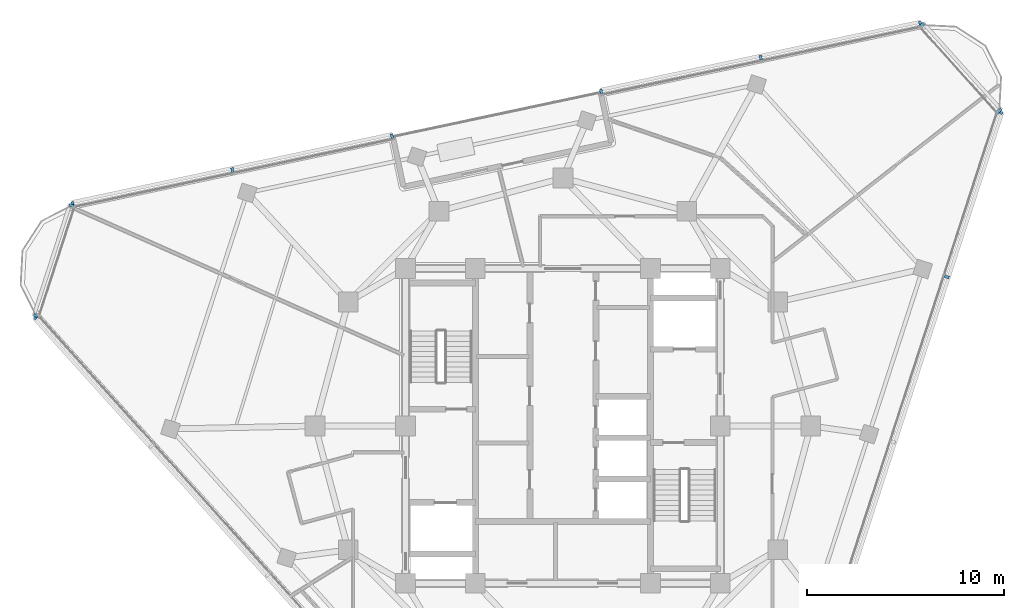
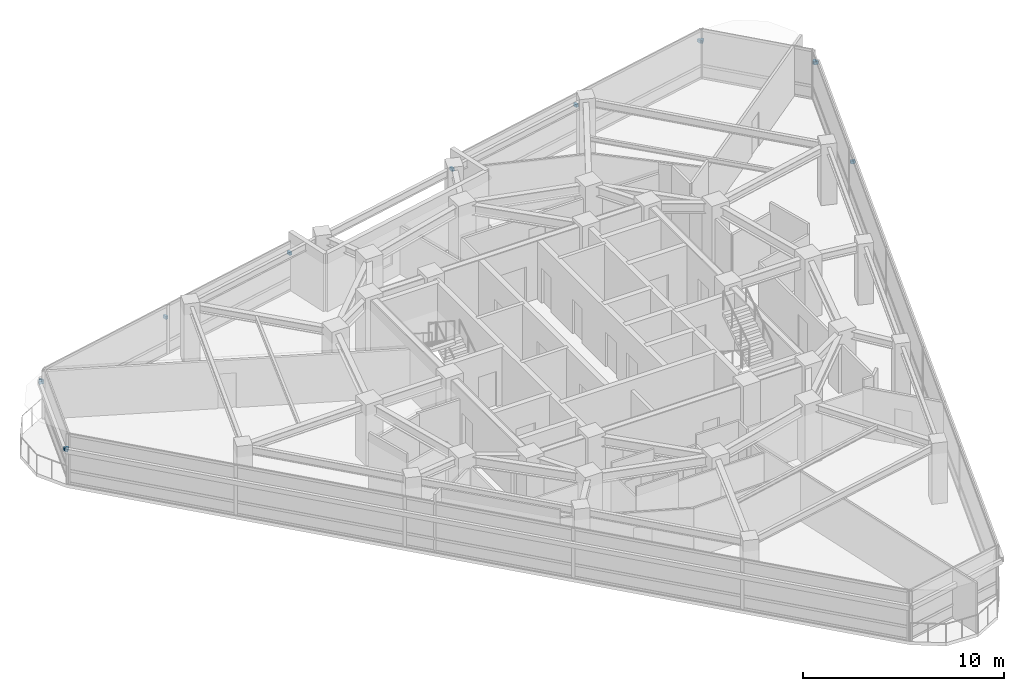
# One storey, part 11 of 15: 13 discrete accessories.
"""IFC4 building model written with IfcOpenShell, lengths in metres."""

import ifcopenshell
import ifcopenshell.guid

model = None  # the IFC model being written
_history = None  # IfcOwnerHistory: only IFC2X3 demands one
_inside = {}  # id of a spatial element -> (the spatial element, [elements in it])
_under = {}  # id of a project, library or spatial element -> (it, [spatial elements below it])
_declared = {}  # id of a project -> (the project, [libraries it declares])
_typed = {}  # id of a type object -> (the type object, [elements of that type])
_made_of = {}  # id of a material, layer set ... -> (it, [elements and type objects made of it])


def new_model(schema):
    """Start an empty IFC model of exactly this schema.

    Asked for "IFC4X3", IfcOpenShell would pick the latest addendum, in which some entities
    have other attributes; the version numbers below select the first issue.
    IFC2X3 requires an IfcOwnerHistory on every rooted entity: one is made here for all.
    """
    global model, _history
    if schema == "IFC4X3":
        model = ifcopenshell.file(schema_version=(4, 3, 0, 0))
    else:
        model = ifcopenshell.file(schema=schema)
    _inside.clear()
    _under.clear()
    _declared.clear()
    _typed.clear()
    _made_of.clear()
    _history = None
    if model.schema == "IFC2X3":
        org = make("IfcOrganization", Name="unknown")
        user = make(
            "IfcPersonAndOrganization",
            ThePerson=make("IfcPerson", FamilyName="unknown"),
            TheOrganization=org,
        )
        app = make(
            "IfcApplication",
            ApplicationDeveloper=org,
            Version="unknown",
            ApplicationFullName="unknown",
            ApplicationIdentifier="unknown",
        )
        _history = make(
            "IfcOwnerHistory",
            OwningUser=user,
            OwningApplication=app,
            ChangeAction="ADDED",
            CreationDate=0,
        )
    return model


def make(cls, **values):
    """One entity of the class cls with the attributes given. An attribute that is None is left unset."""
    return model.create_entity(
        cls, **{name: value for name, value in values.items() if value is not None}
    )


def rooted(cls, **values):
    """An entity with a GlobalId (a new one), such as an element, a storey or a relation."""
    return make(cls, GlobalId=ifcopenshell.guid.new(), OwnerHistory=_history, **values)


def si_unit(unit_type, name, prefix=None):
    """IfcSIUnit, for example si_unit("LENGTHUNIT", "METRE", prefix="MILLI")."""
    return make("IfcSIUnit", UnitType=unit_type, Prefix=prefix, Name=name)


def assignment(units):
    """IfcUnitAssignment: the units of a project."""
    return None if units is None else make("IfcUnitAssignment", Units=units)


def point(xyz):
    """IfcCartesianPoint."""
    return None if xyz is None else make("IfcCartesianPoint", Coordinates=xyz)


def direction(xyz):
    """IfcDirection."""
    return None if xyz is None else make("IfcDirection", DirectionRatios=xyz)


def frame(location, z_axis=None, x_axis=None):
    """IfcAxis2Placement3D, a coordinate frame: its origin and axes. An axis left out is left unset."""
    return make(
        "IfcAxis2Placement3D",
        Location=point(location),
        Axis=direction(z_axis),
        RefDirection=direction(x_axis),
    )


def frame_2d(location, x_axis=None):
    """IfcAxis2Placement2D, a coordinate frame in the plane: its origin and x axis."""
    return make(
        "IfcAxis2Placement2D", Location=point(location), RefDirection=direction(x_axis)
    )


def origin():
    """The frame at (0, 0, 0) with its axes left unset."""
    return frame((0.0, 0.0, 0.0))


def origin_2d():
    """The frame at (0, 0) in the plane with its x axis left unset."""
    return frame_2d((0.0, 0.0))


def place(relative_to, where):
    """IfcLocalPlacement: puts the frame where relative to a parent placement (None: the world)."""
    return make(
        "IfcLocalPlacement", PlacementRelTo=relative_to, RelativePlacement=where
    )


def context(
    kind, dimensions, precision=None, world=None, true_north=None, identifier=None
):
    """IfcGeometricRepresentationContext, for example the 3D "Model" context."""
    return make(
        "IfcGeometricRepresentationContext",
        ContextIdentifier=identifier,
        ContextType=kind,
        CoordinateSpaceDimension=dimensions,
        Precision=precision,
        WorldCoordinateSystem=world,
        TrueNorth=true_north,
    )


def subcontext(parent, identifier, kind, view, scale=None):
    """IfcGeometricRepresentationSubContext, for example "Body" below "Model"."""
    return make(
        "IfcGeometricRepresentationSubContext",
        ContextIdentifier=identifier,
        ContextType=kind,
        ParentContext=parent,
        TargetScale=scale,
        TargetView=view,
    )


def project(units=None, contexts=None):
    """IfcProject with its units and contexts."""
    return rooted(
        "IfcProject",
        Name="project",
        RepresentationContexts=contexts,
        UnitsInContext=assignment(units),
    )


def spatial(cls, under=None, at=None, **own):
    """A site, building, storey or space (cls), placed at a placement, below another one or the project."""
    s = rooted(cls, ObjectPlacement=at, **own)
    if under is not None:
        _under.setdefault(under.id(), (under, []))[1].append(s)
    return s


def profile(cls, at=None, kind="AREA", **sizes):
    """A parametric profile (cls). Its sizes go by their IFC names, for example OverallWidth=200.0."""
    return make(cls, ProfileType=kind, Position=at, **sizes)


def rectangle(**sizes):
    """IfcRectangleProfileDef."""
    return profile("IfcRectangleProfileDef", **sizes)


def extrude(swept, where, along, depth):
    """IfcExtrudedAreaSolid: the profile swept, set in the frame where, extruded along a direction by depth."""
    return make(
        "IfcExtrudedAreaSolid",
        SweptArea=swept,
        Position=where,
        ExtrudedDirection=direction(along),
        Depth=depth,
    )


def shape(context_of_items, identifier, shape_type, items):
    """IfcShapeRepresentation: the items that make up one representation, for example the "Body"."""
    return make(
        "IfcShapeRepresentation",
        ContextOfItems=context_of_items,
        RepresentationIdentifier=identifier,
        RepresentationType=shape_type,
        Items=items,
    )


def material(Name=None, Category=None):
    """IfcMaterial."""
    return make("IfcMaterial", Name=Name, Category=Category)


def made_of(thing, what):
    """Note that an element or type object is made of a material, layer set ...; save() writes the relation."""
    if what is not None:
        _made_of.setdefault(what.id(), (what, []))[1].append(thing)
    return thing


def type_object(cls, material=None, **own):
    """A type object (cls), such as IfcWallType, which elements share."""
    return made_of(rooted(cls, **own), material)


def element(
    cls,
    number,
    at=None,
    inside=None,
    cuts=None,
    type_object=None,
    material=None,
    context=None,
    identifier="Body",
    shape_type=None,
    held_by="IfcProductDefinitionShape",
    body=None,
    shapes=None,
    **own,
):
    """One element of the class cls, such as IfcWall. Its Tag is "e" and its number.

    at: its placement. inside: the storey or other place that contains it. cuts: it is an
    opening in that element (IfcRelVoidsElement). A single representation is given by context,
    identifier, shape_type and body (its items); several are given by shapes. held_by: the class
    of the entity that holds the representations. save() writes the other relations.
    """
    e = rooted(cls, Tag="e%d" % number, ObjectPlacement=at, **own)
    if body is not None:
        shapes = [shape(context, identifier, shape_type, body)]
    if shapes is not None:
        e.Representation = make(held_by, Representations=shapes)
    if inside is not None:
        _inside.setdefault(inside.id(), (inside, []))[1].append(e)
    if cuts is not None:
        rooted(
            "IfcRelVoidsElement", RelatingBuildingElement=cuts, RelatedOpeningElement=e
        )
    if type_object is not None:
        _typed.setdefault(type_object.id(), (type_object, []))[1].append(e)
    return made_of(e, material)


def aggregate(whole, parts):
    """IfcRelAggregates: a whole, such as a stair, and the parts it consists of."""
    return rooted("IfcRelAggregates", RelatingObject=whole, RelatedObjects=parts)


def save(model, path):
    """Write the relations noted so far, then the file.

    IfcRelAggregates (storeys below a building ...), IfcRelContainedInSpatialStructure (elements
    in a storey), IfcRelDefinesByType, IfcRelAssociatesMaterial and IfcRelDeclares: one each for
    every whole, place, type object, material and project.
    """
    for whole, parts in _under.values():
        aggregate(whole, parts)
    for where, things in _inside.values():
        rooted(
            "IfcRelContainedInSpatialStructure",
            RelatedElements=things,
            RelatingStructure=where,
        )
    for kind, things in _typed.values():
        rooted("IfcRelDefinesByType", RelatedObjects=things, RelatingType=kind)
    for what, things in _made_of.values():
        rooted("IfcRelAssociatesMaterial", RelatedObjects=things, RelatingMaterial=what)
    for by, libraries in _declared.values():
        rooted("IfcRelDeclares", RelatingContext=by, RelatedDefinitions=libraries)
    model.write(path)


model = new_model("IFC4")

# Units and contexts
model_context = context("Model", 3, precision=1e-05, world=origin(), true_north=direction((0.0, 1.0)))
body_context = subcontext(model_context, "Body", "Model", "MODEL_VIEW")
ifc_project = project(units=[si_unit("LENGTHUNIT", "METRE"), si_unit("AREAUNIT", "SQUARE_METRE"), si_unit("VOLUMEUNIT", "CUBIC_METRE"), si_unit("PLANEANGLEUNIT", "RADIAN"), si_unit("MASSUNIT", "GRAM", prefix="KILO")], contexts=[model_context])

# Site, building, storey
site_placement = place(None, origin())
site = spatial("IfcSite", under=ifc_project, at=site_placement, CompositionType="ELEMENT")
building_placement = place(site_placement, origin())
building = spatial("IfcBuilding", under=site, at=building_placement, Name="Terralouvre Media Tower", CompositionType="ELEMENT")
storey_placement = place(building_placement, frame((0.0, 0.0, 290.60009765625)))
storey = spatial("IfcBuildingStorey", under=building, at=storey_placement, Name="L75", CompositionType="ELEMENT", Elevation=290.60009765625)

# Discrete accessories
ifc_material = material(Name="Anodised extruded aluminium 6063-T6", Category="aluminium")
discrete_accessory_type = type_object("IfcDiscreteAccessoryType", Name="Mullion Stand-Off Baguette Fixing Bracket BK-01", PredefinedType="BRACKET", material=ifc_material)
for number, where, z_axis, x_axis, name in (
    (1, (19.5126953125, 7.5771484375, 2.07373046875), (0.0, 0.0, 1.0), (0.309017021946, 0.951056507337, 0.0), "CW-L75-F0 Baguette Outrigger Bracket 1.05"),
    (2, (22.22802734375, 15.93359375, 2.07373046875), (0.0, 0.0, 1.0), (0.309017021946, 0.951056507337, 0.0), "CW-L75-F0 Baguette Outrigger Bracket 1.06"),
    (3, (18.169677734375, 20.440673828125, 2.07373046875), (0.0, 0.0, 1.0), (-0.978147588229, -0.207911749648, 0.0), "CW-L75-F1L Baguette Outrigger Bracket 1.01"),
    (4, (10.058349609375, 18.716552734375, 2.07373046875), (0.0, 0.0, 1.0), (-0.978147588229, -0.207911749648, 0.0), "CW-L75-F1L Baguette Outrigger Bracket 1.02"),
    (5, (1.947021484375, 16.992431640625, 2.07373046875), (0.0, 0.0, 1.0), (-0.978147588229, -0.207911749648, 0.0), "CW-L75-F1L Baguette Outrigger Bracket 1.03"),
    (6, (-8.690185546875, 14.7314453125, 2.07373046875), (0.0, 0.0, 1.0), (-0.978147684351, -0.20791129743, 0.0), "CW-L75-F1R Baguette Outrigger Bracket 1.01"),
    (7, (-16.801513671875, 13.00732421875, 2.07373046875), (0.0, 0.0, 1.0), (-0.978147684351, -0.20791129743, 0.0), "CW-L75-F1R Baguette Outrigger Bracket 1.02"),
    (8, (-24.912841796875, 11.283203125, 2.07373046875), (0.0, 0.0, 1.0), (-0.978147684351, -0.20791129743, 0.0), "CW-L75-F1R Baguette Outrigger Bracket 1.03"),
    (9, (-26.787109375, 5.51513671875, 2.07373046875), (0.0, 0.0, 1.0), (0.669130573531, -0.743144855036, 0.0), "CW-L75-F2 Baguette Outrigger Bracket 1.01"),
    (10, (22.19140625, 16.022705078125, 2.07373046875), (0.0, 0.0, 1.0), (-0.669130231192, 0.743145163279, 0.0), "CW-L75-C1 Baguette Outrigger Bracket 1.01"),
    (11, (18.254638671875, 20.39501953125, 2.07373046875), (0.0, 0.0, 1.0), (-0.669130231192, 0.743145163279, 0.0), "CW-L75-C1 Baguette Outrigger Bracket 1.02"),
    (12, (-24.9716796875, 11.206787109375, 2.07373046875), (0.0, 0.0, 1.0), (-0.30901654693, -0.951056661679, 0.0), "CW-L75-C2 Baguette Outrigger Bracket 1.01"),
    (13, (-26.789794921875, 5.611572265625, 2.07373046875), (0.0, 0.0, 1.0), (-0.30901654693, -0.951056661679, 0.0), "CW-L75-C2 Baguette Outrigger Bracket 1.02"),
):
    element("IfcDiscreteAccessory", number, at=place(storey_placement, frame(where, z_axis=z_axis, x_axis=x_axis)), inside=storey, type_object=discrete_accessory_type, Name=name, PredefinedType="BRACKET", context=body_context, shape_type="SweptSolid", body=[
        extrude(rectangle(XDim=0.139892578125, YDim=0.239990234375, at=origin_2d()), origin(), (0.0, 0.0, 1.0), 0.179931640625),
    ])

save(model, "model.ifc")
